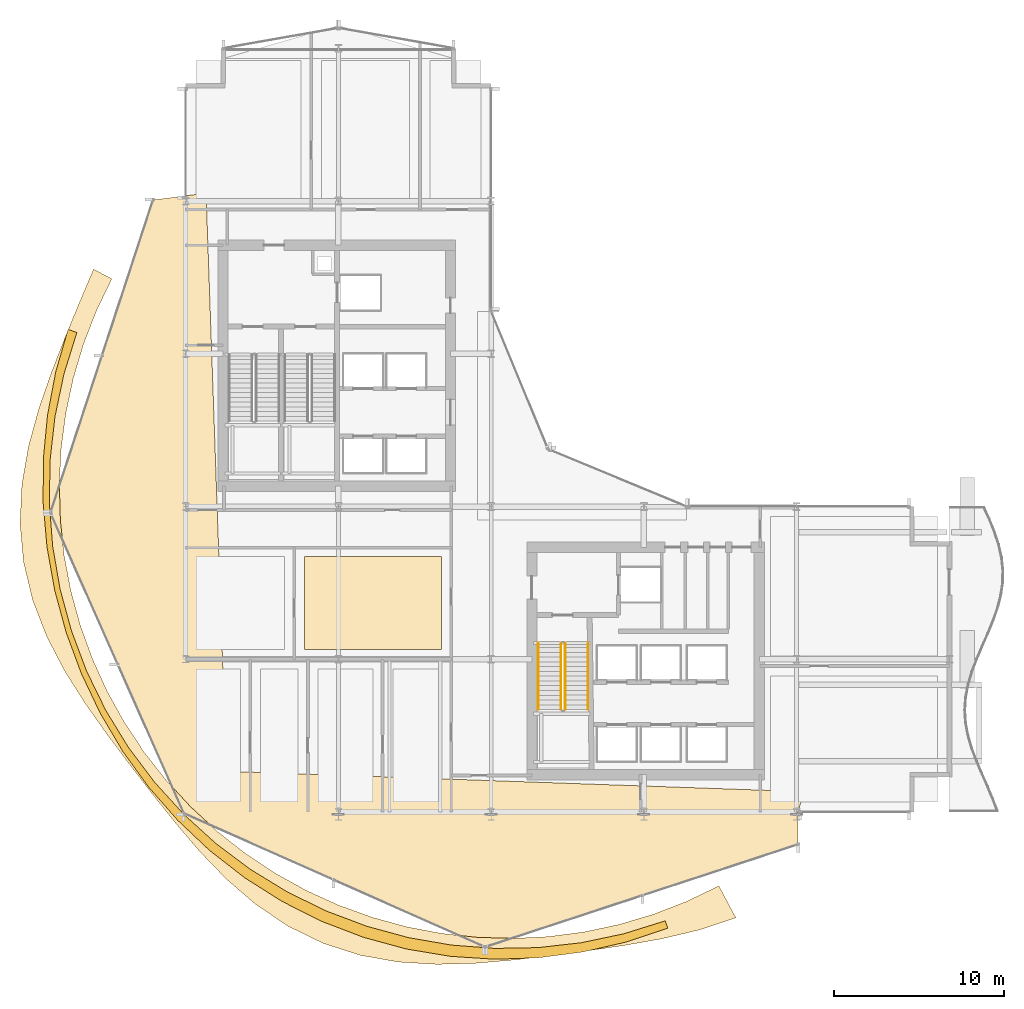
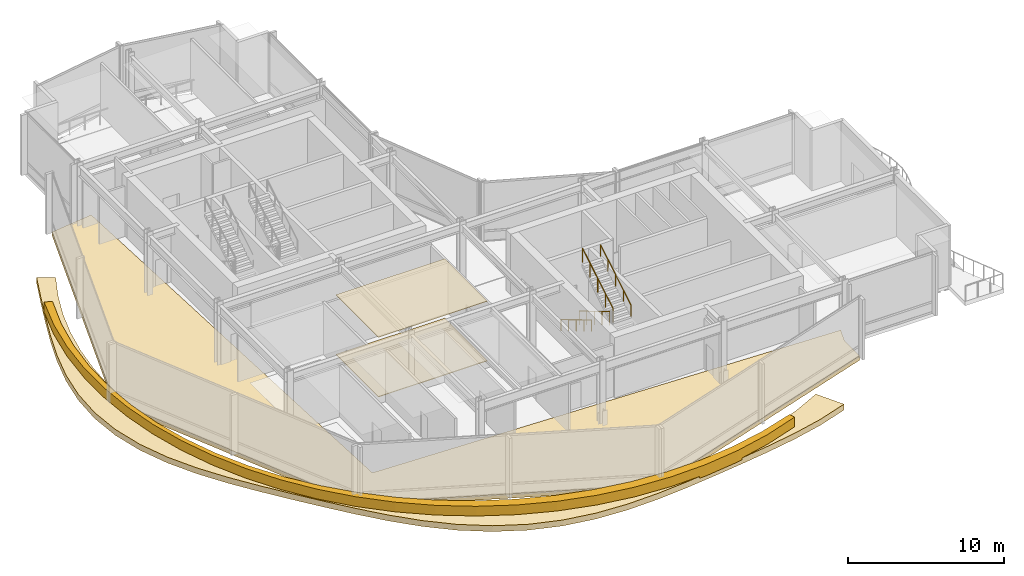
# One storey, part 29 of 33: 5 coverings, 4 railings.
"""IFC4 building model written with IfcOpenShell, lengths in metres."""

from ifc_helpers import new_model, si_unit, direction, frame, origin, origin_2d, place, context, subcontext, project, spatial, polyline, circle, outline, extrude, material, layer, layer_set, type_object, element, save


model = new_model("IFC4")

# Units and contexts
model_context = context("Model", 3, precision=1e-05, world=origin(), true_north=direction((0.0, 1.0)))
body_context = subcontext(model_context, "Body", "Model", "MODEL_VIEW")
ifc_project = project(units=[si_unit("LENGTHUNIT", "METRE"), si_unit("AREAUNIT", "SQUARE_METRE"), si_unit("VOLUMEUNIT", "CUBIC_METRE"), si_unit("PLANEANGLEUNIT", "RADIAN"), si_unit("MASSUNIT", "GRAM", prefix="KILO")], contexts=[model_context])

# Site, building, storey
site_placement = place(None, origin())
site = spatial("IfcSite", under=ifc_project, at=site_placement, CompositionType="ELEMENT")
building_placement = place(site_placement, origin())
building = spatial("IfcBuilding", under=site, at=building_placement, Name="Solvaryn Broadcast Tower", CompositionType="ELEMENT")
storey_placement = place(building_placement, frame((0.0, 0.0, 105.0)))
storey = spatial("IfcBuildingStorey", under=building, at=storey_placement, Name="L25", CompositionType="ELEMENT", Elevation=105.0)

# Coverings
ifc_material_1 = material(Name="Micro-Perforated Acoustic Gypsum Ceiling", Category="concrete")
ifc_layer_1 = layer(ifc_material_1, 0.0400390625)
ifc_layer_set_1 = layer_set([ifc_layer_1], Name="CV-CEIL-ACOUSTIC")
covering_type_1 = type_object("IfcCoveringType", Name="CV-CEIL-ACOUSTIC", PredefinedType="CEILING", material=ifc_layer_set_1)
covering_1_placement = place(storey_placement, frame((0.0, 0.0, 4.679931640625)))
element("IfcCovering", 1, at=covering_1_placement, inside=storey, type_object=covering_type_1, Name="L25 Room Acoustic Ceiling 2", PredefinedType="CEILING", context=body_context, shape_type="SweptSolid", body=[
    extrude(outline(polyline([(16.0, 18.570068359375), (24.080078125, 18.570068359375), (24.080078125, 24.050048828125), (16.0, 24.050048828125), (16.0, 18.570068359375)])), origin(), (0.0, 0.0, 1.0), 0.0400390625),
])
ifc_material_2 = material(Name="Newsroom Raised Data Access Flooring", Category="steel")
ifc_layer_2 = layer(ifc_material_2, 0.050048828125)
ifc_layer_set_2 = layer_set([ifc_layer_2], Name="CV-FLOOR-RAISED")
covering_type_2 = type_object("IfcCoveringType", Name="CV-FLOOR-RAISED", PredefinedType="FLOORING", material=ifc_layer_set_2)
covering_2_placement = place(storey_placement, origin())
element("IfcCovering", 2, at=covering_2_placement, inside=storey, type_object=covering_type_2, Name="L25 Room Acoustic Floor Finish 2", PredefinedType="FLOORING", context=body_context, shape_type="SweptSolid", body=[
    extrude(outline(polyline([(16.0, 18.570068359375), (24.080078125, 18.570068359375), (24.080078125, 24.050048828125), (16.0, 24.050048828125), (16.0, 18.570068359375)])), origin(), (0.0, 0.0, 1.0), 0.050048828125),
])
ifc_material_3 = material(Name="Glazed Architectural Terracotta Rainscreen Cladding", Category="masonry")
ifc_layer_3 = layer(ifc_material_3, 0.280029296875)
ifc_layer_set_3 = layer_set([ifc_layer_3], Name="CV-TC-CLAD")
covering_type_3 = type_object("IfcCoveringType", Name="CV-TC-CLAD", PredefinedType="CLADDING", material=ifc_layer_set_3)
covering_3_placement = place(storey_placement, origin())
element("IfcCovering", 3, at=covering_3_placement, inside=storey, type_object=covering_type_3, Name="L25 Drum Ring Terrace Planter Parapet", PredefinedType="CLADDING", context=body_context, shape_type="SweptSolid", body=[
    extrude(outline(polyline([(2.068115234375, 37.43896484375), (1.341064453125, 34.93603515625), (0.85498046875, 32.3798828125), (0.60888671875, 29.794921875), (0.59912109375, 27.202880859375), (0.823974609375, 24.623046875), (1.277099609375, 22.075927734375), (1.955078125, 19.5791015625), (2.85302734375, 17.153076171875), (3.965087890625, 14.81396484375), (5.284912109375, 12.58203125), (6.805908203125, 10.47705078125), (8.51904296875, 8.51904296875), (10.4130859375, 6.72802734375), (12.47412109375, 5.125), (14.68408203125, 3.72802734375), (17.02294921875, 2.552978515625), (19.469970703125, 1.616943359375), (21.998046875, 0.928955078125), (24.58203125, 0.4970703125), (27.195068359375, 0.323974609375), (29.80810546875, 0.408935546875), (32.39794921875, 0.748046875), (34.93798828125, 1.333984375), (37.406982421875, 2.155029296875), (37.251953125, 2.5810546875), (34.81103515625, 1.821044921875), (32.30908203125, 1.294921875), (29.76904296875, 1.008056640625), (27.212890625, 0.9609375), (24.6640625, 1.156005859375), (22.14501953125, 1.591064453125), (19.678955078125, 2.261962890625), (17.285888671875, 3.162109375), (14.989013671875, 4.284912109375), (12.80908203125, 5.618896484375), (10.763916015625, 7.153076171875), (8.873046875, 8.873046875), (7.153076171875, 10.763916015625), (5.618896484375, 12.80908203125), (4.284912109375, 14.989013671875), (3.162109375, 17.285888671875), (2.261962890625, 19.678955078125), (1.591064453125, 22.14501953125), (1.156005859375, 24.6640625), (0.9609375, 27.212890625), (1.008056640625, 29.76904296875), (1.294921875, 32.30908203125), (1.821044921875, 34.81103515625), (2.5810546875, 37.251953125), (2.068115234375, 37.43896484375)])), origin(), (0.0, 0.0, 1.0), 0.89990234375),
])
ifc_material_4 = material(Name="Sculpted Architectural Terracotta Wave Fascia", Category="masonry")
ifc_layer_4 = layer(ifc_material_4, 0.340087890625)
ifc_layer_set_4 = layer_set([ifc_layer_4], Name="CV-WAVE-TRAY")
covering_type_4 = type_object("IfcCoveringType", Name="CV-WAVE-TRAY", PredefinedType="CLADDING", material=ifc_layer_set_4)
covering_4_placement = place(storey_placement, frame((0.0, 0.0, -0.300048828125)))
element("IfcCovering", 4, at=covering_4_placement, inside=storey, type_object=covering_type_4, Name="L25 Stepped Cylindrical Drum Floor Apron", PredefinedType="CLADDING", context=body_context, shape_type="SweptSolid", body=[
    extrude(outline(polyline([(10.199951171875, 45.467041015625), (7.0791015625, 45.06689453125), (1.033935546875, 26.635986328125), (8.907958984375, 8.907958984375), (26.635986328125, 1.033935546875), (45.06689453125, 7.0791015625), (45.06689453125, 9.0), (45.467041015625, 10.199951171875), (11.39990234375, 11.39990234375), (10.199951171875, 45.467041015625)])), origin(), (0.0, 0.0, 1.0), 0.330078125),
])
covering_5_placement = place(storey_placement, frame((0.0, 0.0, -0.320068359375)))
element("IfcCovering", 5, at=covering_5_placement, inside=storey, type_object=covering_type_4, Name="L25 Stepped Cylindrical Drum Wave Ring Terrace", PredefinedType="CLADDING", context=body_context, shape_type="SweptSolid", body=[
    extrude(outline(polyline([(3.569091796875, 40.989990234375), (2.70703125, 38.965087890625), (1.8740234375, 36.931884765625), (1.071044921875, 34.8701171875), (0.3369140625, 32.7529296875), (-0.263916015625, 30.56591796875), (-0.654052734375, 28.31298828125), (-0.76708984375, 26.02001953125), (-0.55908203125, 23.73193359375), (-0.027099609375, 21.4970703125), (0.7958984375, 19.35693359375), (1.847900390625, 17.333984375), (3.051025390625, 15.425048828125), (4.3369140625, 13.60595703125), (5.656982421875, 11.841064453125), (6.9970703125, 10.10107421875), (8.373046875, 8.373046875), (9.823974609375, 6.6708984375), (11.39599609375, 5.041015625), (13.1259765625, 3.549072265625), (15.030029296875, 2.26806640625), (17.093994140625, 1.259033203125), (19.281005859375, 0.555908203125), (21.5400390625, 0.156005859375), (23.818115234375, 0.02001953125), (26.0791015625, 0.083984375), (28.302001953125, 0.27392578125), (30.493896484375, 0.530029296875), (32.6708984375, 0.81591796875), (34.85400390625, 1.135986328125), (37.051025390625, 1.52587890625), (39.2509765625, 2.047119140625), (41.41796875, 2.764892578125), (40.41796875, 4.64599609375), (38.52001953125, 3.73193359375), (36.556884765625, 2.971923828125), (34.5390625, 2.37109375), (32.47900390625, 1.931884765625), (30.39111328125, 1.657958984375), (28.2890625, 1.552001953125), (26.18408203125, 1.612060546875), (24.090087890625, 1.841064453125), (22.02197265625, 2.23388671875), (19.990966796875, 2.7919921875), (18.010986328125, 3.509033203125), (16.094970703125, 4.381103515625), (14.25390625, 5.403076171875), (12.5, 6.568115234375), (10.843994140625, 7.868896484375), (9.297119140625, 9.297119140625), (7.868896484375, 10.843994140625), (6.568115234375, 12.5), (5.403076171875, 14.25390625), (4.381103515625, 16.094970703125), (3.509033203125, 18.010986328125), (2.7919921875, 19.990966796875), (2.23388671875, 22.02197265625), (1.841064453125, 24.090087890625), (1.612060546875, 26.18408203125), (1.552001953125, 28.2890625), (1.657958984375, 30.39111328125), (1.931884765625, 32.47900390625), (2.37109375, 34.5390625), (2.971923828125, 36.556884765625), (3.73193359375, 38.52001953125), (4.64599609375, 40.41796875), (3.569091796875, 40.989990234375)])), origin(), (0.0, 0.0, 1.0), 0.4599609375),
])

# Railings
ifc_material_5 = material(Name="Painted Steel Stair Well Guard", Category="steel")
railing_type_1 = type_object("IfcRailingType", Name="RL-STAIR-GUARD", PredefinedType="BALUSTRADE", material=ifc_material_5)
railing_1_placement = place(storey_placement, frame((31.110107421875, 18.9599609375, 0.166748046875)))
element("IfcRailing", 6, at=railing_1_placement, inside=storey, type_object=railing_type_1, Name="L25 ST3 stair guard 1", PredefinedType="BALUSTRADE", context=body_context, shape_type="SweptSolid", body=[
    extrude(circle(Radius=0.02392578125, at=origin_2d()), frame((0.0, 0.0, 1.076171875), z_axis=(0.0, -0.859296244711, 0.511478214419), x_axis=(1.0, 0.0, 0.0)), (0.0, 0.0, 1.0), 4.561767578125),
    extrude(circle(Radius=0.02099609375, at=origin_2d()), origin(), (0.0, 0.0, 1.0), 1.052001953125),
    extrude(circle(Radius=0.02099609375, at=origin_2d()), frame((0.0, -0.97998046875, 0.583251953125)), (0.0, 0.0, 1.0), 1.052001953125),
    extrude(circle(Radius=0.02099609375, at=origin_2d()), frame((0.0, -1.9599609375, 1.16650390625)), (0.0, 0.0, 1.0), 1.052001953125),
    extrude(circle(Radius=0.02099609375, at=origin_2d()), frame((0.0, -2.93994140625, 1.75)), (0.0, 0.0, 1.0), 1.052001953125),
    extrude(circle(Radius=0.02099609375, at=origin_2d()), frame((0.0, -3.919921875, 2.333251953125)), (0.0, 0.0, 1.0), 1.052001953125),
])
railing_2_placement = place(storey_placement, frame((31.360107421875, 15.0400390625, 2.666748046875)))
element("IfcRailing", 7, at=railing_2_placement, inside=storey, type_object=railing_type_1, Name="L25 ST3 stair guard 3", PredefinedType="BALUSTRADE", context=body_context, shape_type="SweptSolid", body=[
    extrude(circle(Radius=0.02392578125, at=origin_2d()), frame((0.0, 0.0, 1.076171875), z_axis=(0.0, 0.859296244711, 0.511478214419), x_axis=(-1.0, 0.0, 0.0)), (0.0, 0.0, 1.0), 4.561767578125),
    extrude(circle(Radius=0.02099609375, at=origin_2d()), origin(), (0.0, 0.0, 1.0), 1.052001953125),
    extrude(circle(Radius=0.02099609375, at=origin_2d()), frame((0.0, 0.97998046875, 0.583251953125)), (0.0, 0.0, 1.0), 1.052001953125),
    extrude(circle(Radius=0.02099609375, at=origin_2d()), frame((0.0, 1.9599609375, 1.16650390625)), (0.0, 0.0, 1.0), 1.052001953125),
    extrude(circle(Radius=0.02099609375, at=origin_2d()), frame((0.0, 2.93994140625, 1.75)), (0.0, 0.0, 1.0), 1.052001953125),
    extrude(circle(Radius=0.02099609375, at=origin_2d()), frame((0.0, 3.919921875, 2.333251953125)), (0.0, 0.0, 1.0), 1.052001953125),
])
ifc_material_6 = material(Name="Brushed Stainless Steel Tubular Handrail", Category="steel")
railing_type_2 = type_object("IfcRailingType", Name="RL-STAIR-HANDRAIL", PredefinedType="HANDRAIL", material=ifc_material_6)
railing_3_placement = place(storey_placement, frame((29.77001953125, 18.9599609375, 0.166748046875)))
element("IfcRailing", 8, at=railing_3_placement, inside=storey, type_object=railing_type_2, Name="L25 ST3 stair handrail 1", PredefinedType="HANDRAIL", context=body_context, shape_type="SweptSolid", body=[
    extrude(circle(Radius=0.02392578125, at=origin_2d()), frame((0.0, 0.0, 0.8759765625), z_axis=(0.0, -0.859296244711, 0.511478214419), x_axis=(1.0, 0.0, 0.0)), (0.0, 0.0, 1.0), 4.561767578125),
    extrude(circle(Radius=0.02099609375, at=origin_2d()), origin(), (0.0, 0.0, 1.0), 0.851806640625),
    extrude(circle(Radius=0.02099609375, at=origin_2d()), frame((0.0, -0.97998046875, 0.583251953125)), (0.0, 0.0, 1.0), 0.851806640625),
    extrude(circle(Radius=0.02099609375, at=origin_2d()), frame((0.0, -1.9599609375, 1.16650390625)), (0.0, 0.0, 1.0), 0.851806640625),
    extrude(circle(Radius=0.02099609375, at=origin_2d()), frame((0.0, -2.93994140625, 1.75)), (0.0, 0.0, 1.0), 0.851806640625),
    extrude(circle(Radius=0.02099609375, at=origin_2d()), frame((0.0, -3.919921875, 2.333251953125)), (0.0, 0.0, 1.0), 0.851806640625),
])
railing_4_placement = place(storey_placement, frame((32.699951171875, 15.0400390625, 2.666748046875)))
element("IfcRailing", 9, at=railing_4_placement, inside=storey, type_object=railing_type_2, Name="L25 ST3 stair handrail 2", PredefinedType="HANDRAIL", context=body_context, shape_type="SweptSolid", body=[
    extrude(circle(Radius=0.02392578125, at=origin_2d()), frame((0.0, 0.0, 0.8759765625), z_axis=(0.0, 0.859296244711, 0.511478214419), x_axis=(-1.0, 0.0, 0.0)), (0.0, 0.0, 1.0), 4.561767578125),
    extrude(circle(Radius=0.02099609375, at=origin_2d()), origin(), (0.0, 0.0, 1.0), 0.851806640625),
    extrude(circle(Radius=0.02099609375, at=origin_2d()), frame((0.0, 0.97998046875, 0.583251953125)), (0.0, 0.0, 1.0), 0.851806640625),
    extrude(circle(Radius=0.02099609375, at=origin_2d()), frame((0.0, 1.9599609375, 1.16650390625)), (0.0, 0.0, 1.0), 0.851806640625),
    extrude(circle(Radius=0.02099609375, at=origin_2d()), frame((0.0, 2.93994140625, 1.75)), (0.0, 0.0, 1.0), 0.851806640625),
    extrude(circle(Radius=0.02099609375, at=origin_2d()), frame((0.0, 3.919921875, 2.333251953125)), (0.0, 0.0, 1.0), 0.851806640625),
])

save(model, "model.ifc")
